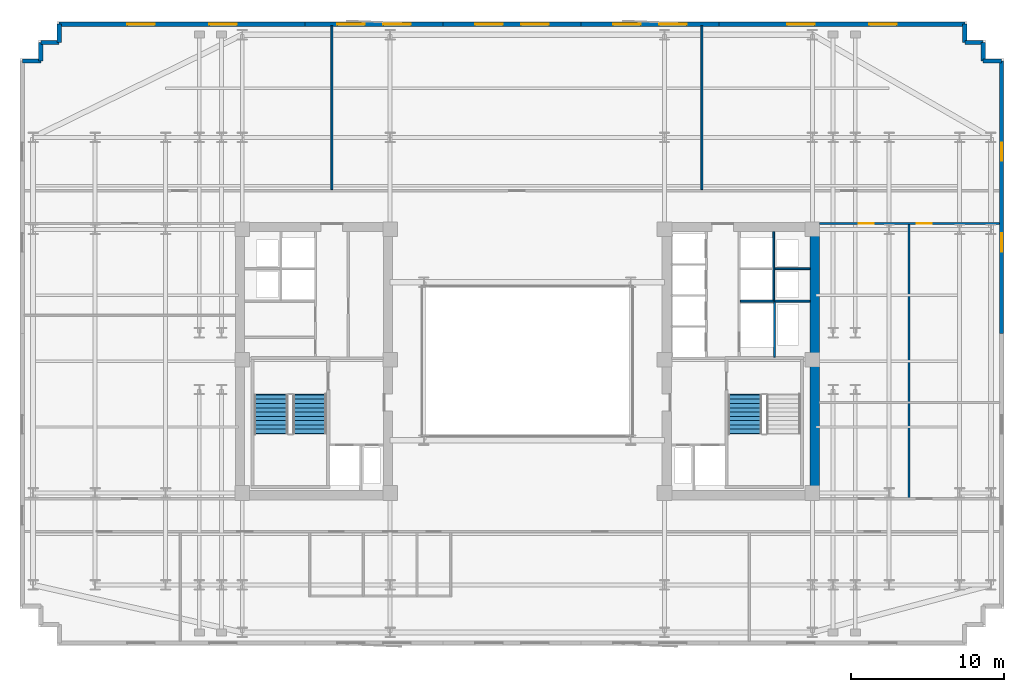
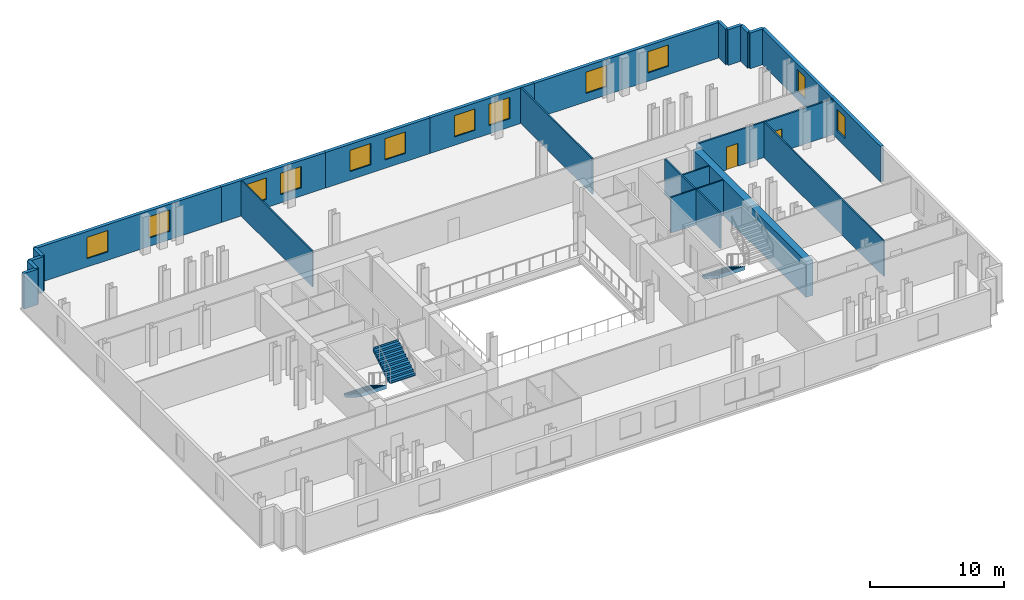
# One storey, part 7 of 10: 23 walls, 12 windows, 3 stair flights, 2 doors, 14 openings, 2 elements without a shape of their own.
"""IFC4 building model written with IfcOpenShell, lengths in metres."""

import ifcopenshell
import ifcopenshell.guid

model = None  # the IFC model being written
_history = None  # IfcOwnerHistory: only IFC2X3 demands one
_inside = {}  # id of a spatial element -> (the spatial element, [elements in it])
_under = {}  # id of a project, library or spatial element -> (it, [spatial elements below it])
_declared = {}  # id of a project -> (the project, [libraries it declares])
_typed = {}  # id of a type object -> (the type object, [elements of that type])
_made_of = {}  # id of a material, layer set ... -> (it, [elements and type objects made of it])


def new_model(schema):
    """Start an empty IFC model of exactly this schema.

    Asked for "IFC4X3", IfcOpenShell would pick the latest addendum, in which some entities
    have other attributes; the version numbers below select the first issue.
    IFC2X3 requires an IfcOwnerHistory on every rooted entity: one is made here for all.
    """
    global model, _history
    if schema == "IFC4X3":
        model = ifcopenshell.file(schema_version=(4, 3, 0, 0))
    else:
        model = ifcopenshell.file(schema=schema)
    _inside.clear()
    _under.clear()
    _declared.clear()
    _typed.clear()
    _made_of.clear()
    _history = None
    if model.schema == "IFC2X3":
        org = make("IfcOrganization", Name="unknown")
        user = make(
            "IfcPersonAndOrganization",
            ThePerson=make("IfcPerson", FamilyName="unknown"),
            TheOrganization=org,
        )
        app = make(
            "IfcApplication",
            ApplicationDeveloper=org,
            Version="unknown",
            ApplicationFullName="unknown",
            ApplicationIdentifier="unknown",
        )
        _history = make(
            "IfcOwnerHistory",
            OwningUser=user,
            OwningApplication=app,
            ChangeAction="ADDED",
            CreationDate=0,
        )
    return model


def make(cls, **values):
    """One entity of the class cls with the attributes given. An attribute that is None is left unset."""
    return model.create_entity(
        cls, **{name: value for name, value in values.items() if value is not None}
    )


def rooted(cls, **values):
    """An entity with a GlobalId (a new one), such as an element, a storey or a relation."""
    return make(cls, GlobalId=ifcopenshell.guid.new(), OwnerHistory=_history, **values)


def si_unit(unit_type, name, prefix=None):
    """IfcSIUnit, for example si_unit("LENGTHUNIT", "METRE", prefix="MILLI")."""
    return make("IfcSIUnit", UnitType=unit_type, Prefix=prefix, Name=name)


def assignment(units):
    """IfcUnitAssignment: the units of a project."""
    return None if units is None else make("IfcUnitAssignment", Units=units)


def point(xyz):
    """IfcCartesianPoint."""
    return None if xyz is None else make("IfcCartesianPoint", Coordinates=xyz)


def direction(xyz):
    """IfcDirection."""
    return None if xyz is None else make("IfcDirection", DirectionRatios=xyz)


def frame(location, z_axis=None, x_axis=None):
    """IfcAxis2Placement3D, a coordinate frame: its origin and axes. An axis left out is left unset."""
    return make(
        "IfcAxis2Placement3D",
        Location=point(location),
        Axis=direction(z_axis),
        RefDirection=direction(x_axis),
    )


def frame_2d(location, x_axis=None):
    """IfcAxis2Placement2D, a coordinate frame in the plane: its origin and x axis."""
    return make(
        "IfcAxis2Placement2D", Location=point(location), RefDirection=direction(x_axis)
    )


def origin():
    """The frame at (0, 0, 0) with its axes left unset."""
    return frame((0.0, 0.0, 0.0))


def place(relative_to, where):
    """IfcLocalPlacement: puts the frame where relative to a parent placement (None: the world)."""
    return make(
        "IfcLocalPlacement", PlacementRelTo=relative_to, RelativePlacement=where
    )


def context(
    kind, dimensions, precision=None, world=None, true_north=None, identifier=None
):
    """IfcGeometricRepresentationContext, for example the 3D "Model" context."""
    return make(
        "IfcGeometricRepresentationContext",
        ContextIdentifier=identifier,
        ContextType=kind,
        CoordinateSpaceDimension=dimensions,
        Precision=precision,
        WorldCoordinateSystem=world,
        TrueNorth=true_north,
    )


def subcontext(parent, identifier, kind, view, scale=None):
    """IfcGeometricRepresentationSubContext, for example "Body" below "Model"."""
    return make(
        "IfcGeometricRepresentationSubContext",
        ContextIdentifier=identifier,
        ContextType=kind,
        ParentContext=parent,
        TargetScale=scale,
        TargetView=view,
    )


def project(units=None, contexts=None):
    """IfcProject with its units and contexts."""
    return rooted(
        "IfcProject",
        Name="project",
        RepresentationContexts=contexts,
        UnitsInContext=assignment(units),
    )


def spatial(cls, under=None, at=None, **own):
    """A site, building, storey or space (cls), placed at a placement, below another one or the project."""
    s = rooted(cls, ObjectPlacement=at, **own)
    if under is not None:
        _under.setdefault(under.id(), (under, []))[1].append(s)
    return s


def polyline(points):
    """IfcPolyline through the points."""
    return make("IfcPolyline", Points=[point(p) for p in points])


def profile(cls, at=None, kind="AREA", **sizes):
    """A parametric profile (cls). Its sizes go by their IFC names, for example OverallWidth=200.0."""
    return make(cls, ProfileType=kind, Position=at, **sizes)


def rectangle(**sizes):
    """IfcRectangleProfileDef."""
    return profile("IfcRectangleProfileDef", **sizes)


def outline(outer, holes=None, kind="AREA"):
    """IfcArbitraryClosedProfileDef: a profile drawn as a closed curve; with holes, ...WithVoids."""
    if holes is None:
        return make("IfcArbitraryClosedProfileDef", ProfileType=kind, OuterCurve=outer)
    return make(
        "IfcArbitraryProfileDefWithVoids",
        ProfileType=kind,
        OuterCurve=outer,
        InnerCurves=holes,
    )


def extrude(swept, where, along, depth):
    """IfcExtrudedAreaSolid: the profile swept, set in the frame where, extruded along a direction by depth."""
    return make(
        "IfcExtrudedAreaSolid",
        SweptArea=swept,
        Position=where,
        ExtrudedDirection=direction(along),
        Depth=depth,
    )


def shape(context_of_items, identifier, shape_type, items):
    """IfcShapeRepresentation: the items that make up one representation, for example the "Body"."""
    return make(
        "IfcShapeRepresentation",
        ContextOfItems=context_of_items,
        RepresentationIdentifier=identifier,
        RepresentationType=shape_type,
        Items=items,
    )


def material(Name=None, Category=None):
    """IfcMaterial."""
    return make("IfcMaterial", Name=Name, Category=Category)


def layer(
    of_material, thickness, ventilated=None, Name=None, Category=None, Priority=None
):
    """IfcMaterialLayer: one layer of a wall or slab, of a material (None: an air gap)."""
    return make(
        "IfcMaterialLayer",
        Material=of_material,
        LayerThickness=thickness,
        IsVentilated=ventilated,
        Name=Name,
        Category=Category,
        Priority=Priority,
    )


def layer_set(layers, Name=None):
    """IfcMaterialLayerSet."""
    return make("IfcMaterialLayerSet", MaterialLayers=layers, LayerSetName=Name)


def made_of(thing, what):
    """Note that an element or type object is made of a material, layer set ...; save() writes the relation."""
    if what is not None:
        _made_of.setdefault(what.id(), (what, []))[1].append(thing)
    return thing


def type_object(cls, material=None, **own):
    """A type object (cls), such as IfcWallType, which elements share."""
    return made_of(rooted(cls, **own), material)


def element(
    cls,
    number,
    at=None,
    inside=None,
    cuts=None,
    type_object=None,
    material=None,
    context=None,
    identifier="Body",
    shape_type=None,
    held_by="IfcProductDefinitionShape",
    body=None,
    shapes=None,
    **own,
):
    """One element of the class cls, such as IfcWall. Its Tag is "e" and its number.

    at: its placement. inside: the storey or other place that contains it. cuts: it is an
    opening in that element (IfcRelVoidsElement). A single representation is given by context,
    identifier, shape_type and body (its items); several are given by shapes. held_by: the class
    of the entity that holds the representations. save() writes the other relations.
    """
    e = rooted(cls, Tag="e%d" % number, ObjectPlacement=at, **own)
    if body is not None:
        shapes = [shape(context, identifier, shape_type, body)]
    if shapes is not None:
        e.Representation = make(held_by, Representations=shapes)
    if inside is not None:
        _inside.setdefault(inside.id(), (inside, []))[1].append(e)
    if cuts is not None:
        rooted(
            "IfcRelVoidsElement", RelatingBuildingElement=cuts, RelatedOpeningElement=e
        )
    if type_object is not None:
        _typed.setdefault(type_object.id(), (type_object, []))[1].append(e)
    return made_of(e, material)


def fill(opening, filler):
    """IfcRelFillsElement: the door or window that sits in an opening."""
    return rooted(
        "IfcRelFillsElement",
        RelatingOpeningElement=opening,
        RelatedBuildingElement=filler,
    )


def aggregate(whole, parts):
    """IfcRelAggregates: a whole, such as a stair, and the parts it consists of."""
    return rooted("IfcRelAggregates", RelatingObject=whole, RelatedObjects=parts)


def save(model, path):
    """Write the relations noted so far, then the file.

    IfcRelAggregates (storeys below a building ...), IfcRelContainedInSpatialStructure (elements
    in a storey), IfcRelDefinesByType, IfcRelAssociatesMaterial and IfcRelDeclares: one each for
    every whole, place, type object, material and project.
    """
    for whole, parts in _under.values():
        aggregate(whole, parts)
    for where, things in _inside.values():
        rooted(
            "IfcRelContainedInSpatialStructure",
            RelatedElements=things,
            RelatingStructure=where,
        )
    for kind, things in _typed.values():
        rooted("IfcRelDefinesByType", RelatedObjects=things, RelatingType=kind)
    for what, things in _made_of.values():
        rooted("IfcRelAssociatesMaterial", RelatedObjects=things, RelatingMaterial=what)
    for by, libraries in _declared.values():
        rooted("IfcRelDeclares", RelatingContext=by, RelatedDefinitions=libraries)
    model.write(path)


model = new_model("IFC4")

# Units and contexts
model_context = context("Model", 3, precision=1e-05, world=origin(), true_north=direction((0.0, 1.0)))
body_context = subcontext(model_context, "Body", "Model", "MODEL_VIEW")
ifc_project = project(units=[si_unit("LENGTHUNIT", "METRE"), si_unit("AREAUNIT", "SQUARE_METRE"), si_unit("VOLUMEUNIT", "CUBIC_METRE"), si_unit("PLANEANGLEUNIT", "RADIAN"), si_unit("MASSUNIT", "GRAM", prefix="KILO")], contexts=[model_context])

# Site, building, storey
site_placement = place(None, origin())
site = spatial("IfcSite", under=ifc_project, at=site_placement, CompositionType="ELEMENT")
building_placement = place(site_placement, origin())
building = spatial("IfcBuilding", under=site, at=building_placement, Name="Velakula Bourse", CompositionType="ELEMENT")
storey_placement = place(building_placement, frame((0.0, 0.0, 127.75)))
storey = spatial("IfcBuildingStorey", under=building, at=storey_placement, Name="L34", CompositionType="ELEMENT", Elevation=127.75)

# Wall
ifc_material_1 = material(Name="Concrete M70 (fck 70 MPa)", Category="concrete")
ifc_layer_1 = layer(ifc_material_1, 0.60009765625, Name="Concrete M70 (fck 70 MPa)", Category="concrete")
ifc_layer_set_1 = layer_set([ifc_layer_1], Name="Concrete M70 (fck 70 MPa)")
wall_type_1 = type_object("IfcWallType", Name="WL-CORE-600", PredefinedType="SHEAR", material=ifc_layer_set_1)
wall_1_placement = place(storey_placement, frame((18.75, -8.449951171875, 0.0), z_axis=(0.0, 0.0, 1.0), x_axis=(0.0, 1.0, 0.0)))
element("IfcWall", 1, at=wall_1_placement, inside=storey, type_object=wall_type_1, Name="L34 Core E Shear Wall E", PredefinedType="SHEAR", context=body_context, shape_type="SweptSolid", body=[
    extrude(rectangle(XDim=16.89990234375, YDim=0.60009765625, at=frame_2d((8.449951171875, 0.0))), origin(), (0.0, 0.0, 1.0), 3.27001953125),
])

# Wall, openings, windows
ifc_material_2 = material(Name="Red kilned clay facing brick masonry", Category="masonry")
ifc_layer_2 = layer(ifc_material_2, 0.280029296875, Name="Red kilned clay facing brick masonry", Category="masonry")
ifc_layer_set_2 = layer_set([ifc_layer_2], Name="Red kilned clay facing brick masonry")
wall_type_2 = type_object("IfcWallType", Name="WL-EXT-BRK-280", PredefinedType="STANDARD", material=ifc_layer_set_2)
wall_2_placement = place(storey_placement, frame((-30.5400390625, 21.989990234375, 0.0), z_axis=(0.0, 0.0, 1.0), x_axis=(1.0, 0.0, 0.0)))
wall_2 = element("IfcWall", 2, at=wall_2_placement, inside=storey, type_object=wall_type_2, Name="L34 N Brick Spandrel Wall B1", PredefinedType="STANDARD", context=body_context, shape_type="SweptSolid", body=[
    extrude(rectangle(XDim=16.0400390625, YDim=0.280029296875, at=frame_2d((8.02001953125, 0.0))), origin(), (0.0, 0.0, 1.0), 3.25),
])
opening_1_placement = place(wall_2_placement, frame((4.44677734375, 0.0, 0.760009765625)))
opening_1 = element("IfcOpeningElement", 3, at=opening_1_placement, cuts=wall_2, Name="Opening W-01", PredefinedType="OPENING", context=body_context, shape_type="SweptSolid", body=[
    extrude(rectangle(XDim=1.800048828125, YDim=1.949951171875, at=frame_2d((0.89990234375, 0.97509765625))), frame((0.0, 0.14990234375, 0.0), z_axis=(0.0, -1.0, 0.0), x_axis=(1.0, 0.0, 0.0)), (0.0, 0.0, 1.0), 0.300048828125),
])
opening_2_placement = place(wall_2_placement, frame((9.793212890625, 0.0, 0.760009765625)))
opening_2 = element("IfcOpeningElement", 4, at=opening_2_placement, cuts=wall_2, Name="Opening W-01", PredefinedType="OPENING", context=body_context, shape_type="SweptSolid", body=[
    extrude(rectangle(XDim=1.800048828125, YDim=1.949951171875, at=frame_2d((0.89990234375, 0.97509765625))), frame((0.0, 0.14990234375, 0.0), z_axis=(0.0, -1.0, 0.0), x_axis=(1.0, 0.0, 0.0)), (0.0, 0.0, 1.0), 0.300048828125),
])
ifc_material_3 = material(Name="Double-glazed solar-control Low-E glass", Category="glass")
window_type_1 = type_object("IfcWindowType", Name="WIN-TWR-1800x2100", PartitioningType="SINGLE_PANEL", PredefinedType="WINDOW", material=ifc_material_3)
window_1_placement = place(opening_1_placement, origin())
window_1 = element("IfcWindow", 5, at=window_1_placement, inside=storey, type_object=window_type_1, Name="L34 Deep-Set Recessed Window 1", OverallHeight=1.949951171875, OverallWidth=1.800048828125, PartitioningType="SINGLE_PANEL", PredefinedType="WINDOW", context=body_context, shape_type="SweptSolid", body=[
    extrude(rectangle(XDim=1.800048828125, YDim=1.949951171875, at=frame_2d((0.89990234375, 0.97509765625))), frame((0.0, 0.030029296875, 0.0), z_axis=(0.0, -1.0, 0.0), x_axis=(1.0, 0.0, 0.0)), (0.0, 0.0, 1.0), 0.06005859375),
])
fill(opening_1, window_1)
window_2_placement = place(opening_2_placement, origin())
window_2 = element("IfcWindow", 6, at=window_2_placement, inside=storey, type_object=window_type_1, Name="L34 Deep-Set Recessed Window 2", OverallHeight=1.949951171875, OverallWidth=1.800048828125, PartitioningType="SINGLE_PANEL", PredefinedType="WINDOW", context=body_context, shape_type="SweptSolid", body=[
    extrude(rectangle(XDim=1.800048828125, YDim=1.949951171875, at=frame_2d((0.89990234375, 0.97509765625))), frame((0.0, 0.030029296875, 0.0), z_axis=(0.0, -1.0, 0.0), x_axis=(1.0, 0.0, 0.0)), (0.0, 0.0, 1.0), 0.06005859375),
])
fill(opening_2, window_2)

wall_3_placement = place(storey_placement, frame((-14.5, 21.989990234375, 0.0), z_axis=(0.0, 0.0, 1.0), x_axis=(1.0, 0.0, 0.0)))
wall_3 = element("IfcWall", 7, at=wall_3_placement, inside=storey, type_object=wall_type_2, Name="L34 N Brick Spandrel Wall B2", PredefinedType="STANDARD", context=body_context, shape_type="SweptSolid", body=[
    extrude(rectangle(XDim=9.0, YDim=0.280029296875, at=frame_2d((4.5, 0.0))), origin(), (0.0, 0.0, 1.0), 3.25),
])
opening_3_placement = place(wall_3_placement, frame((2.10009765625, 0.0, 0.760009765625)))
opening_3 = element("IfcOpeningElement", 8, at=opening_3_placement, cuts=wall_3, Name="Opening W-01", PredefinedType="OPENING", context=body_context, shape_type="SweptSolid", body=[
    extrude(rectangle(XDim=1.800048828125, YDim=1.949951171875, at=frame_2d((0.89990234375, 0.97509765625))), frame((0.0, 0.14990234375, 0.0), z_axis=(0.0, -1.0, 0.0), x_axis=(1.0, 0.0, 0.0)), (0.0, 0.0, 1.0), 0.300048828125),
])
opening_4_placement = place(wall_3_placement, frame((5.10009765625, 0.0, 0.760009765625)))
opening_4 = element("IfcOpeningElement", 9, at=opening_4_placement, cuts=wall_3, Name="Opening W-01", PredefinedType="OPENING", context=body_context, shape_type="SweptSolid", body=[
    extrude(rectangle(XDim=1.800048828125, YDim=1.949951171875, at=frame_2d((0.89990234375, 0.97509765625))), frame((0.0, 0.14990234375, 0.0), z_axis=(0.0, -1.0, 0.0), x_axis=(1.0, 0.0, 0.0)), (0.0, 0.0, 1.0), 0.300048828125),
])
window_3_placement = place(opening_3_placement, origin())
window_3 = element("IfcWindow", 10, at=window_3_placement, inside=storey, type_object=window_type_1, Name="L34 Deep-Set Recessed Window 1", OverallHeight=1.949951171875, OverallWidth=1.800048828125, PartitioningType="SINGLE_PANEL", PredefinedType="WINDOW", context=body_context, shape_type="SweptSolid", body=[
    extrude(rectangle(XDim=1.800048828125, YDim=1.949951171875, at=frame_2d((0.89990234375, 0.97509765625))), frame((0.0, 0.030029296875, 0.0), z_axis=(0.0, -1.0, 0.0), x_axis=(1.0, 0.0, 0.0)), (0.0, 0.0, 1.0), 0.06005859375),
])
fill(opening_3, window_3)
window_4_placement = place(opening_4_placement, origin())
window_4 = element("IfcWindow", 11, at=window_4_placement, inside=storey, type_object=window_type_1, Name="L34 Deep-Set Recessed Window 2", OverallHeight=1.949951171875, OverallWidth=1.800048828125, PartitioningType="SINGLE_PANEL", PredefinedType="WINDOW", context=body_context, shape_type="SweptSolid", body=[
    extrude(rectangle(XDim=1.800048828125, YDim=1.949951171875, at=frame_2d((0.89990234375, 0.97509765625))), frame((0.0, 0.030029296875, 0.0), z_axis=(0.0, -1.0, 0.0), x_axis=(1.0, 0.0, 0.0)), (0.0, 0.0, 1.0), 0.06005859375),
])
fill(opening_4, window_4)

wall_4_placement = place(storey_placement, frame((-5.5, 21.989990234375, 0.0), z_axis=(0.0, 0.0, 1.0), x_axis=(1.0, 0.0, 0.0)))
wall_4 = element("IfcWall", 12, at=wall_4_placement, inside=storey, type_object=wall_type_2, Name="L34 N Brick Spandrel Wall B3", PredefinedType="STANDARD", context=body_context, shape_type="SweptSolid", body=[
    extrude(rectangle(XDim=9.0, YDim=0.280029296875, at=frame_2d((4.5, 0.0))), origin(), (0.0, 0.0, 1.0), 3.25),
])
opening_5_placement = place(wall_4_placement, frame((2.10009765625, 0.0, 0.760009765625)))
opening_5 = element("IfcOpeningElement", 13, at=opening_5_placement, cuts=wall_4, Name="Opening W-01", PredefinedType="OPENING", context=body_context, shape_type="SweptSolid", body=[
    extrude(rectangle(XDim=1.800048828125, YDim=1.949951171875, at=frame_2d((0.89990234375, 0.97509765625))), frame((0.0, 0.14990234375, 0.0), z_axis=(0.0, -1.0, 0.0), x_axis=(1.0, 0.0, 0.0)), (0.0, 0.0, 1.0), 0.300048828125),
])
opening_6_placement = place(wall_4_placement, frame((5.10009765625, 0.0, 0.760009765625)))
opening_6 = element("IfcOpeningElement", 14, at=opening_6_placement, cuts=wall_4, Name="Opening W-01", PredefinedType="OPENING", context=body_context, shape_type="SweptSolid", body=[
    extrude(rectangle(XDim=1.800048828125, YDim=1.949951171875, at=frame_2d((0.89990234375, 0.97509765625))), frame((0.0, 0.14990234375, 0.0), z_axis=(0.0, -1.0, 0.0), x_axis=(1.0, 0.0, 0.0)), (0.0, 0.0, 1.0), 0.300048828125),
])
window_5_placement = place(opening_5_placement, origin())
window_5 = element("IfcWindow", 15, at=window_5_placement, inside=storey, type_object=window_type_1, Name="L34 Deep-Set Recessed Window 1", OverallHeight=1.949951171875, OverallWidth=1.800048828125, PartitioningType="SINGLE_PANEL", PredefinedType="WINDOW", context=body_context, shape_type="SweptSolid", body=[
    extrude(rectangle(XDim=1.800048828125, YDim=1.949951171875, at=frame_2d((0.89990234375, 0.97509765625))), frame((0.0, 0.030029296875, 0.0), z_axis=(0.0, -1.0, 0.0), x_axis=(1.0, 0.0, 0.0)), (0.0, 0.0, 1.0), 0.06005859375),
])
fill(opening_5, window_5)
window_6_placement = place(opening_6_placement, origin())
window_6 = element("IfcWindow", 16, at=window_6_placement, inside=storey, type_object=window_type_1, Name="L34 Deep-Set Recessed Window 2", OverallHeight=1.949951171875, OverallWidth=1.800048828125, PartitioningType="SINGLE_PANEL", PredefinedType="WINDOW", context=body_context, shape_type="SweptSolid", body=[
    extrude(rectangle(XDim=1.800048828125, YDim=1.949951171875, at=frame_2d((0.89990234375, 0.97509765625))), frame((0.0, 0.030029296875, 0.0), z_axis=(0.0, -1.0, 0.0), x_axis=(1.0, 0.0, 0.0)), (0.0, 0.0, 1.0), 0.06005859375),
])
fill(opening_6, window_6)

wall_5_placement = place(storey_placement, frame((3.5, 21.989990234375, 0.0), z_axis=(0.0, 0.0, 1.0), x_axis=(1.0, 0.0, 0.0)))
wall_5 = element("IfcWall", 17, at=wall_5_placement, inside=storey, type_object=wall_type_2, Name="L34 N Brick Spandrel Wall B4", PredefinedType="STANDARD", context=body_context, shape_type="SweptSolid", body=[
    extrude(rectangle(XDim=9.0, YDim=0.280029296875, at=frame_2d((4.5, 0.0))), origin(), (0.0, 0.0, 1.0), 3.25),
])
opening_7_placement = place(wall_5_placement, frame((2.10009765625, 0.0, 0.760009765625)))
opening_7 = element("IfcOpeningElement", 18, at=opening_7_placement, cuts=wall_5, Name="Opening W-01", PredefinedType="OPENING", context=body_context, shape_type="SweptSolid", body=[
    extrude(rectangle(XDim=1.800048828125, YDim=1.949951171875, at=frame_2d((0.89990234375, 0.97509765625))), frame((0.0, 0.14990234375, 0.0), z_axis=(0.0, -1.0, 0.0), x_axis=(1.0, 0.0, 0.0)), (0.0, 0.0, 1.0), 0.300048828125),
])
opening_8_placement = place(wall_5_placement, frame((5.10009765625, 0.0, 0.760009765625)))
opening_8 = element("IfcOpeningElement", 19, at=opening_8_placement, cuts=wall_5, Name="Opening W-01", PredefinedType="OPENING", context=body_context, shape_type="SweptSolid", body=[
    extrude(rectangle(XDim=1.800048828125, YDim=1.949951171875, at=frame_2d((0.89990234375, 0.97509765625))), frame((0.0, 0.14990234375, 0.0), z_axis=(0.0, -1.0, 0.0), x_axis=(1.0, 0.0, 0.0)), (0.0, 0.0, 1.0), 0.300048828125),
])
window_7_placement = place(opening_7_placement, origin())
window_7 = element("IfcWindow", 20, at=window_7_placement, inside=storey, type_object=window_type_1, Name="L34 Deep-Set Recessed Window 1", OverallHeight=1.949951171875, OverallWidth=1.800048828125, PartitioningType="SINGLE_PANEL", PredefinedType="WINDOW", context=body_context, shape_type="SweptSolid", body=[
    extrude(rectangle(XDim=1.800048828125, YDim=1.949951171875, at=frame_2d((0.89990234375, 0.97509765625))), frame((0.0, 0.030029296875, 0.0), z_axis=(0.0, -1.0, 0.0), x_axis=(1.0, 0.0, 0.0)), (0.0, 0.0, 1.0), 0.06005859375),
])
fill(opening_7, window_7)
window_8_placement = place(opening_8_placement, origin())
window_8 = element("IfcWindow", 21, at=window_8_placement, inside=storey, type_object=window_type_1, Name="L34 Deep-Set Recessed Window 2", OverallHeight=1.949951171875, OverallWidth=1.800048828125, PartitioningType="SINGLE_PANEL", PredefinedType="WINDOW", context=body_context, shape_type="SweptSolid", body=[
    extrude(rectangle(XDim=1.800048828125, YDim=1.949951171875, at=frame_2d((0.89990234375, 0.97509765625))), frame((0.0, 0.030029296875, 0.0), z_axis=(0.0, -1.0, 0.0), x_axis=(1.0, 0.0, 0.0)), (0.0, 0.0, 1.0), 0.06005859375),
])
fill(opening_8, window_8)

wall_6_placement = place(storey_placement, frame((12.5, 21.989990234375, 0.0), z_axis=(0.0, 0.0, 1.0), x_axis=(1.0, 0.0, 0.0)))
wall_6 = element("IfcWall", 22, at=wall_6_placement, inside=storey, type_object=wall_type_2, Name="L34 N Brick Spandrel Wall B5", PredefinedType="STANDARD", context=body_context, shape_type="SweptSolid", body=[
    extrude(rectangle(XDim=16.0400390625, YDim=0.280029296875, at=frame_2d((8.02001953125, 0.0))), origin(), (0.0, 0.0, 1.0), 3.25),
])
opening_9_placement = place(wall_6_placement, frame((4.44677734375, 0.0, 0.760009765625)))
opening_9 = element("IfcOpeningElement", 23, at=opening_9_placement, cuts=wall_6, Name="Opening W-01", PredefinedType="OPENING", context=body_context, shape_type="SweptSolid", body=[
    extrude(rectangle(XDim=1.800048828125, YDim=1.949951171875, at=frame_2d((0.89990234375, 0.97509765625))), frame((0.0, 0.14990234375, 0.0), z_axis=(0.0, -1.0, 0.0), x_axis=(1.0, 0.0, 0.0)), (0.0, 0.0, 1.0), 0.300048828125),
])
opening_10_placement = place(wall_6_placement, frame((9.793212890625, 0.0, 0.760009765625)))
opening_10 = element("IfcOpeningElement", 24, at=opening_10_placement, cuts=wall_6, Name="Opening W-01", PredefinedType="OPENING", context=body_context, shape_type="SweptSolid", body=[
    extrude(rectangle(XDim=1.800048828125, YDim=1.949951171875, at=frame_2d((0.89990234375, 0.97509765625))), frame((0.0, 0.14990234375, 0.0), z_axis=(0.0, -1.0, 0.0), x_axis=(1.0, 0.0, 0.0)), (0.0, 0.0, 1.0), 0.300048828125),
])
window_9_placement = place(opening_9_placement, origin())
window_9 = element("IfcWindow", 25, at=window_9_placement, inside=storey, type_object=window_type_1, Name="L34 Deep-Set Recessed Window 1", OverallHeight=1.949951171875, OverallWidth=1.800048828125, PartitioningType="SINGLE_PANEL", PredefinedType="WINDOW", context=body_context, shape_type="SweptSolid", body=[
    extrude(rectangle(XDim=1.800048828125, YDim=1.949951171875, at=frame_2d((0.89990234375, 0.97509765625))), frame((0.0, 0.030029296875, 0.0), z_axis=(0.0, -1.0, 0.0), x_axis=(1.0, 0.0, 0.0)), (0.0, 0.0, 1.0), 0.06005859375),
])
fill(opening_9, window_9)
window_10_placement = place(opening_10_placement, origin())
window_10 = element("IfcWindow", 26, at=window_10_placement, inside=storey, type_object=window_type_1, Name="L34 Deep-Set Recessed Window 2", OverallHeight=1.949951171875, OverallWidth=1.800048828125, PartitioningType="SINGLE_PANEL", PredefinedType="WINDOW", context=body_context, shape_type="SweptSolid", body=[
    extrude(rectangle(XDim=1.800048828125, YDim=1.949951171875, at=frame_2d((0.89990234375, 0.97509765625))), frame((0.0, 0.030029296875, 0.0), z_axis=(0.0, -1.0, 0.0), x_axis=(1.0, 0.0, 0.0)), (0.0, 0.0, 1.0), 0.06005859375),
])
fill(opening_10, window_10)

wall_7_placement = place(storey_placement, frame((30.93994140625, 19.590087890625, 0.0), z_axis=(0.0, 0.0, 1.0), x_axis=(0.0, -1.0, 0.0)))
wall_7 = element("IfcWall", 27, at=wall_7_placement, inside=storey, type_object=wall_type_2, Name="L34 E Brick End Wall W2", PredefinedType="STANDARD", context=body_context, shape_type="SweptSolid", body=[
    extrude(rectangle(XDim=17.7900390625, YDim=0.280029296875, at=frame_2d((8.89501953125, 0.0))), origin(), (0.0, 0.0, 1.0), 3.25),
])
opening_11_placement = place(wall_7_placement, frame((5.330078125, 0.0, 0.760009765625)))
opening_11 = element("IfcOpeningElement", 28, at=opening_11_placement, cuts=wall_7, Name="Opening W-04", PredefinedType="OPENING", context=body_context, shape_type="SweptSolid", body=[
    extrude(rectangle(XDim=1.199951171875, YDim=1.949951171875, at=frame_2d((0.60009765625, 0.97509765625))), frame((0.0, 0.14990234375, 0.0), z_axis=(0.0, -1.0, 0.0), x_axis=(1.0, 0.0, 0.0)), (0.0, 0.0, 1.0), 0.300048828125),
])
opening_12_placement = place(wall_7_placement, frame((11.260009765625, 0.0, 0.760009765625)))
opening_12 = element("IfcOpeningElement", 29, at=opening_12_placement, cuts=wall_7, Name="Opening W-04", PredefinedType="OPENING", context=body_context, shape_type="SweptSolid", body=[
    extrude(rectangle(XDim=1.199951171875, YDim=1.949951171875, at=frame_2d((0.60009765625, 0.97509765625))), frame((0.0, 0.14990234375, 0.0), z_axis=(0.0, -1.0, 0.0), x_axis=(1.0, 0.0, 0.0)), (0.0, 0.0, 1.0), 0.300048828125),
])
window_type_2 = type_object("IfcWindowType", Name="WIN-TWR-1200x2100", PartitioningType="SINGLE_PANEL", PredefinedType="WINDOW", material=ifc_material_3)
window_11_placement = place(opening_11_placement, origin())
window_11 = element("IfcWindow", 30, at=window_11_placement, inside=storey, type_object=window_type_2, Name="L34 Deep-Set Recessed Window 1", OverallHeight=1.949951171875, OverallWidth=1.199951171875, PartitioningType="SINGLE_PANEL", PredefinedType="WINDOW", context=body_context, shape_type="SweptSolid", body=[
    extrude(rectangle(XDim=1.199951171875, YDim=1.949951171875, at=frame_2d((0.60009765625, 0.97509765625))), frame((0.0, 0.030029296875, 0.0), z_axis=(0.0, -1.0, 0.0), x_axis=(1.0, 0.0, 0.0)), (0.0, 0.0, 1.0), 0.06005859375),
])
fill(opening_11, window_11)
window_12_placement = place(opening_12_placement, origin())
window_12 = element("IfcWindow", 31, at=window_12_placement, inside=storey, type_object=window_type_2, Name="L34 Deep-Set Recessed Window 2", OverallHeight=1.949951171875, OverallWidth=1.199951171875, PartitioningType="SINGLE_PANEL", PredefinedType="WINDOW", context=body_context, shape_type="SweptSolid", body=[
    extrude(rectangle(XDim=1.199951171875, YDim=1.949951171875, at=frame_2d((0.60009765625, 0.97509765625))), frame((0.0, 0.030029296875, 0.0), z_axis=(0.0, -1.0, 0.0), x_axis=(1.0, 0.0, 0.0)), (0.0, 0.0, 1.0), 0.06005859375),
])
fill(opening_12, window_12)

# Walls
for number, where, z_axis, x_axis, name in (
    (32, (30.93994140625, 19.590087890625, 0.0), (0.0, 0.0, 1.0), (-1.0, 0.0, 0.0), "L34 Serrated Corner Brick Wall NE-1"),
    (33, (29.739990234375, 19.590087890625, 0.0), (0.0, 0.0, 1.0), (0.0, 1.0, 0.0), "L34 Serrated Corner Brick Wall NE-2"),
    (34, (29.739990234375, 20.7900390625, 0.0), (0.0, 0.0, 1.0), (-1.0, 0.0, 0.0), "L34 Serrated Corner Brick Wall NE-3"),
    (35, (28.5400390625, 20.7900390625, 0.0), (0.0, 0.0, 1.0), (0.0, 1.0, 0.0), "L34 Serrated Corner Brick Wall NE-4"),
    (36, (-30.5400390625, 21.989990234375, 0.0), (0.0, 0.0, 1.0), (0.0, -1.0, 0.0), "L34 Serrated Corner Brick Wall NW-1"),
    (37, (-30.5400390625, 20.7900390625, 0.0), (0.0, 0.0, 1.0), (-1.0, 0.0, 0.0), "L34 Serrated Corner Brick Wall NW-2"),
    (38, (-31.739990234375, 20.7900390625, 0.0), (0.0, 0.0, 1.0), (0.0, -1.0, 0.0), "L34 Serrated Corner Brick Wall NW-3"),
    (39, (-31.739990234375, 19.590087890625, 0.0), (0.0, 0.0, 1.0), (-1.0, 0.0, 0.0), "L34 Serrated Corner Brick Wall NW-4"),
):
    element("IfcWall", number, at=place(storey_placement, frame(where, z_axis=z_axis, x_axis=x_axis)), inside=storey, type_object=wall_type_2, Name=name, PredefinedType="STANDARD", context=body_context, shape_type="SweptSolid", body=[
        extrude(rectangle(XDim=1.199951171875, YDim=0.280029296875, at=frame_2d((0.60009765625, 0.0))), origin(), (0.0, 0.0, 1.0), 3.25),
    ])
ifc_material_4 = material(Name="Fire-rated double-layer gypsum drywall partition", Category="gypsum")
ifc_layer_3 = layer(ifc_material_4, 0.1201171875, Name="Fire-rated double-layer gypsum drywall partition", Category="gypsum")
ifc_layer_set_3 = layer_set([ifc_layer_3], Name="Fire-rated double-layer gypsum drywall partition")
wall_type_3 = type_object("IfcWallType", Name="WL-PART-120", PredefinedType="STANDARD", material=ifc_layer_set_3)
wall_8_placement = place(storey_placement, frame((13.89990234375, 3.919921875, 0.0), z_axis=(0.0, 0.0, 1.0), x_axis=(1.0, 0.0, 0.0)))
element("IfcWall", 40, at=wall_8_placement, inside=storey, type_object=wall_type_3, Name="L34 Interior Partition WL-CRE-L34-HI-S", PredefinedType="STANDARD", context=body_context, shape_type="SweptSolid", body=[
    extrude(rectangle(XDim=4.550048828125, YDim=0.1201171875, at=frame_2d((2.27490234375, 0.0))), origin(), (0.0, 0.0, 1.0), 3.25),
])
wall_9_placement = place(storey_placement, frame((16.14990234375, 6.030029296875, 0.0), z_axis=(0.0, 0.0, 1.0), x_axis=(1.0, 0.0, 0.0)))
element("IfcWall", 41, at=wall_9_placement, inside=storey, type_object=wall_type_3, Name="L34 Interior Partition WL-CRE-L34-RIS-MID", PredefinedType="STANDARD", context=body_context, shape_type="SweptSolid", body=[
    extrude(rectangle(XDim=2.300048828125, YDim=0.1201171875, at=frame_2d((1.14990234375, 0.0))), origin(), (0.0, 0.0, 1.0), 3.25),
])
wall_10_placement = place(storey_placement, frame((16.074951171875, 3.97998046875, 0.0), z_axis=(0.0, 0.0, 1.0), x_axis=(0.0, 1.0, 0.0)))
element("IfcWall", 42, at=wall_10_placement, inside=storey, type_object=wall_type_3, Name="L34 Interior Partition WL-CRE-L34-RIS-F", PredefinedType="STANDARD", context=body_context, shape_type="SweptSolid", body=[
    extrude(rectangle(XDim=4.469970703125, YDim=0.1201171875, at=frame_2d((2.23486328125, 0.0))), origin(), (0.0, 0.0, 1.0), 3.25),
])
wall_11_placement = place(storey_placement, frame((16.125, 0.27001953125, 0.0), z_axis=(0.0, 0.0, 1.0), x_axis=(0.0, 1.0, 0.0)))
element("IfcWall", 43, at=wall_11_placement, inside=storey, type_object=wall_type_3, Name="L34 Interior Partition WL-CRE-L34-SVL-E", PredefinedType="STANDARD", context=body_context, shape_type="SweptSolid", body=[
    extrude(rectangle(XDim=3.590087890625, YDim=0.1201171875, at=frame_2d((1.794921875, 0.0))), origin(), (0.0, 0.0, 1.0), 3.25),
])
for number, where, z_axis, x_axis, name in (
    (44, (-12.7509765625, 11.18994140625, 0.0), (0.0, 0.0, 1.0), (0.0, 1.0, 0.0), "L34 Interior Partition WL-INT-L34-N-D1"),
    (45, (11.385986328125, 11.18994140625, 0.0), (0.0, 0.0, 1.0), (0.0, 1.0, 0.0), "L34 Interior Partition WL-INT-L34-N-D2"),
):
    element("IfcWall", number, at=place(storey_placement, frame(where, z_axis=z_axis, x_axis=x_axis)), inside=storey, type_object=wall_type_3, Name=name, PredefinedType="STANDARD", context=body_context, shape_type="SweptSolid", body=[
        extrude(rectangle(XDim=10.68017578125, YDim=0.1201171875, at=frame_2d((5.340087890625, 0.0))), origin(), (0.0, 0.0, 1.0), 3.25),
    ])
wall_12_placement = place(storey_placement, frame((24.905029296875, -8.97998046875, 0.0), z_axis=(0.0, 0.0, 1.0), x_axis=(0.0, 1.0, 0.0)))
element("IfcWall", 46, at=wall_12_placement, inside=storey, type_object=wall_type_3, Name="L34 Interior Partition WL-INT-L34-E-V1", PredefinedType="STANDARD", context=body_context, shape_type="SweptSolid", body=[
    extrude(rectangle(XDim=17.9599609375, YDim=0.1201171875, at=frame_2d((8.97998046875, 0.0))), origin(), (0.0, 0.0, 1.0), 3.25),
])

# Wall, openings, doors
ifc_layer_4 = layer(ifc_material_4, 0.139892578125, Name="Fire-rated double-layer gypsum drywall partition", Category="gypsum")
ifc_layer_set_4 = layer_set([ifc_layer_4], Name="Fire-rated double-layer gypsum drywall partition")
wall_type_4 = type_object("IfcWallType", Name="WL-PART-140", PredefinedType="STANDARD", material=ifc_layer_set_4)
wall_13_placement = place(storey_placement, frame((19.050048828125, 8.97998046875, 0.0), z_axis=(0.0, 0.0, 1.0), x_axis=(1.0, 0.0, 0.0)))
wall_13 = element("IfcWall", 47, at=wall_13_placement, inside=storey, type_object=wall_type_4, Name="L34 Interior Partition WL-INT-L34-E-NC", PredefinedType="STANDARD", context=body_context, shape_type="SweptSolid", body=[
    extrude(rectangle(XDim=11.77001953125, YDim=0.139892578125, at=frame_2d((5.885009765625, 0.0))), origin(), (0.0, 0.0, 1.0), 3.25),
])
opening_13_placement = place(wall_13_placement, frame((2.5576171875, 0.0, 0.0)))
opening_13 = element("IfcOpeningElement", 48, at=opening_13_placement, cuts=wall_13, Name="Opening D-OF1", PredefinedType="OPENING", context=body_context, shape_type="SweptSolid", body=[
    extrude(rectangle(XDim=1.0, YDim=2.080078125, at=frame_2d((0.5, 1.0400390625))), frame((0.0, 0.079833984375, 0.0), z_axis=(0.0, -1.0, 0.0), x_axis=(1.0, 0.0, 0.0)), (0.0, 0.0, 1.0), 0.159912109375),
])
opening_14_placement = place(wall_13_placement, frame((6.346923828125, 0.0, 0.0)))
opening_14 = element("IfcOpeningElement", 49, at=opening_14_placement, cuts=wall_13, Name="Opening D-OF1", PredefinedType="OPENING", context=body_context, shape_type="SweptSolid", body=[
    extrude(rectangle(XDim=1.0, YDim=2.080078125, at=frame_2d((0.5, 1.0400390625))), frame((0.0, 0.079833984375, 0.0), z_axis=(0.0, -1.0, 0.0), x_axis=(1.0, 0.0, 0.0)), (0.0, 0.0, 1.0), 0.159912109375),
])
ifc_material_5 = material(Name="Fire-rated hardwood flush architectural door", Category="wood")
door_type = type_object("IfcDoorType", Name="DR-OFF-1000", OperationType="NOTDEFINED", PredefinedType="DOOR", material=ifc_material_5)
door_1_placement = place(opening_13_placement, origin())
door_1 = element("IfcDoor", 50, at=door_1_placement, inside=storey, type_object=door_type, Name="L34 Legal Counsel Office Door", OperationType="SINGLE_SWING_LEFT", OverallHeight=2.080078125, OverallWidth=1.0, PredefinedType="DOOR", context=body_context, shape_type="SweptSolid", body=[
    extrude(rectangle(XDim=1.0, YDim=2.080078125, at=frame_2d((0.5, 1.0400390625))), frame((0.0, 0.02490234375, 0.0), z_axis=(0.0, -1.0, 0.0), x_axis=(1.0, 0.0, 0.0)), (0.0, 0.0, 1.0), 0.050048828125),
])
fill(opening_13, door_1)
door_2_placement = place(opening_14_placement, origin())
door_2 = element("IfcDoor", 51, at=door_2_placement, inside=storey, type_object=door_type, Name="L34 Disciplinary Hearing Room Door", OperationType="SINGLE_SWING_RIGHT", OverallHeight=2.080078125, OverallWidth=1.0, PredefinedType="DOOR", context=body_context, shape_type="SweptSolid", body=[
    extrude(rectangle(XDim=1.0, YDim=2.080078125, at=frame_2d((0.5, 1.0400390625))), frame((0.0, 0.02490234375, 0.0), z_axis=(0.0, -1.0, 0.0), x_axis=(1.0, 0.0, 0.0)), (0.0, 0.0, 1.0), 0.050048828125),
])
fill(opening_14, door_2)

# Stair, stair flights
ifc_material_6 = material(Name="Concrete M45 (fck 45 MPa)", Category="concrete")
stair_type = type_object("IfcStairType", Name="STR-DOG-390", PredefinedType="HALF_TURN_STAIR", material=ifc_material_6)
stair_1_placement = place(storey_placement, origin())
stair_1 = element("IfcStair", 52, at=stair_1_placement, inside=storey, type_object=stair_type, Name="L34 West Core Exit Stair ST-W1", PredefinedType="HALF_TURN_STAIR")
ifc_layer_5 = layer(ifc_material_6, 0.195068359375, Name="Concrete M45 (fck 45 MPa)", Category="concrete")
ifc_layer_set_5 = layer_set([ifc_layer_5], Name="Concrete M45 (fck 45 MPa)")
stair_flight_type = type_object("IfcStairFlightType", Name="FLT-DOG-390", PredefinedType="STRAIGHT", material=ifc_layer_set_5)
stair_flight_1_placement = place(storey_placement, frame((-16.720947265625, -2.199951171875, 0.0), z_axis=(0.0, 0.0, 1.0), x_axis=(0.0, -1.0, 0.0)))
stair_flight_1 = element("IfcStairFlight", 53, at=stair_flight_1_placement, type_object=stair_flight_type, Name="ST-W1 flight 1", NumberOfRisers=10, NumberOfTreads=9, PredefinedType="STRAIGHT", RiserHeight=0.1725, TreadLength=0.28, context=body_context, shape_type="SweptSolid", body=[
    extrude(outline(polyline([(-0.044921875, -0.0400390625), (-0.044921875, -0.036865234375), (-0.044921875, -0.033935546875), (-0.044921875, -0.03076171875), (-0.044921875, -0.027587890625), (-0.044921875, -0.024658203125), (-0.044921875, -0.021484375), (-0.044921875, -0.0185546875), (-0.044921875, -0.015380859375), (-0.044921875, -0.01220703125), (-0.044921875, -0.00927734375), (-0.044921875, -0.006103515625), (-0.044921875, -0.003173828125), (-0.044921875, 0.0), (0.0, 0.0), (0.0, 0.172607421875), (0.280029296875, 0.172607421875), (0.280029296875, 0.344970703125), (0.56005859375, 0.344970703125), (0.56005859375, 0.517578125), (0.840087890625, 0.517578125), (0.840087890625, 0.68994140625), (1.1201171875, 0.68994140625), (1.1201171875, 0.862548828125), (1.39990234375, 0.862548828125), (1.39990234375, 1.034912109375), (1.679931640625, 1.034912109375), (1.679931640625, 1.20751953125), (1.9599609375, 1.20751953125), (1.9599609375, 1.3798828125), (2.239990234375, 1.3798828125), (2.239990234375, 1.552490234375), (2.52001953125, 1.552490234375), (2.52001953125, 1.72509765625), (2.56494140625, 1.72509765625), (2.56494140625, 1.7001953125), (2.56494140625, 1.67529296875), (2.56494140625, 1.650390625), (2.56494140625, 1.62548828125), (2.56494140625, 1.6005859375), (2.56494140625, 1.57568359375), (2.56494140625, 1.55078125), (2.56494140625, 1.52587890625), (2.56494140625, 1.5009765625), (2.56494140625, 1.47607421875), (2.56494140625, 1.451171875), (2.56494140625, 1.42626953125), (2.56494140625, 1.4013671875), (2.56494140625, 1.37646484375), (0.285888671875, -0.0400390625), (-0.044921875, -0.0400390625)])), frame((0.0, 1.09912109375, 0.0), z_axis=(0.0, -1.0, 0.0), x_axis=(1.0, 0.0, 0.0)), (0.0, 0.0, 1.0), 2.197998046875),
])
stair_flight_2_placement = place(storey_placement, frame((-14.198974609375, -4.719970703125, 1.72509765625), z_axis=(0.0, 0.0, 1.0), x_axis=(0.0, 1.0, 0.0)))
stair_flight_2 = element("IfcStairFlight", 54, at=stair_flight_2_placement, type_object=stair_flight_type, Name="ST-W1 flight 2", NumberOfRisers=10, NumberOfTreads=9, PredefinedType="STRAIGHT", RiserHeight=0.1725, TreadLength=0.28, context=body_context, shape_type="SweptSolid", body=[
    extrude(outline(polyline([(-0.044921875, -0.0400390625), (-0.044921875, -0.036865234375), (-0.044921875, -0.033935546875), (-0.044921875, -0.03076171875), (-0.044921875, -0.027587890625), (-0.044921875, -0.024658203125), (-0.044921875, -0.021484375), (-0.044921875, -0.0185546875), (-0.044921875, -0.015380859375), (-0.044921875, -0.01220703125), (-0.044921875, -0.00927734375), (-0.044921875, -0.006103515625), (-0.044921875, -0.003173828125), (-0.044921875, 0.0), (0.0, 0.0), (0.0, 0.172607421875), (0.280029296875, 0.172607421875), (0.280029296875, 0.344970703125), (0.56005859375, 0.344970703125), (0.56005859375, 0.517578125), (0.840087890625, 0.517578125), (0.840087890625, 0.68994140625), (1.1201171875, 0.68994140625), (1.1201171875, 0.862548828125), (1.39990234375, 0.862548828125), (1.39990234375, 1.034912109375), (1.679931640625, 1.034912109375), (1.679931640625, 1.20751953125), (1.9599609375, 1.20751953125), (1.9599609375, 1.3798828125), (2.239990234375, 1.3798828125), (2.239990234375, 1.552490234375), (2.52001953125, 1.552490234375), (2.52001953125, 1.72509765625), (2.56494140625, 1.72509765625), (2.56494140625, 1.7001953125), (2.56494140625, 1.67529296875), (2.56494140625, 1.650390625), (2.56494140625, 1.62548828125), (2.56494140625, 1.6005859375), (2.56494140625, 1.57568359375), (2.56494140625, 1.55078125), (2.56494140625, 1.52587890625), (2.56494140625, 1.5009765625), (2.56494140625, 1.47607421875), (2.56494140625, 1.451171875), (2.56494140625, 1.42626953125), (2.56494140625, 1.4013671875), (2.56494140625, 1.37646484375), (0.285888671875, -0.0400390625), (-0.044921875, -0.0400390625)])), frame((0.0, 1.09912109375, 0.0), z_axis=(0.0, -1.0, 0.0), x_axis=(1.0, 0.0, 0.0)), (0.0, 0.0, 1.0), 2.197998046875),
])
aggregate(stair_1, [stair_flight_1, stair_flight_2])

# Stair, stair flight
stair_2_placement = place(storey_placement, origin())
stair_2 = element("IfcStair", 55, at=stair_2_placement, inside=storey, type_object=stair_type, Name="L34 East Core Exit Stair ST-E1", PredefinedType="HALF_TURN_STAIR")
stair_flight_3_placement = place(storey_placement, frame((14.198974609375, -2.199951171875, 0.0), z_axis=(0.0, 0.0, 1.0), x_axis=(0.0, -1.0, 0.0)))
stair_flight_3 = element("IfcStairFlight", 56, at=stair_flight_3_placement, type_object=stair_flight_type, Name="ST-E1 flight 1", NumberOfRisers=10, NumberOfTreads=9, PredefinedType="STRAIGHT", RiserHeight=0.1725, TreadLength=0.28, context=body_context, shape_type="SweptSolid", body=[
    extrude(outline(polyline([(-0.044921875, -0.0400390625), (-0.044921875, -0.036865234375), (-0.044921875, -0.033935546875), (-0.044921875, -0.03076171875), (-0.044921875, -0.027587890625), (-0.044921875, -0.024658203125), (-0.044921875, -0.021484375), (-0.044921875, -0.0185546875), (-0.044921875, -0.015380859375), (-0.044921875, -0.01220703125), (-0.044921875, -0.00927734375), (-0.044921875, -0.006103515625), (-0.044921875, -0.003173828125), (-0.044921875, 0.0), (0.0, 0.0), (0.0, 0.172607421875), (0.280029296875, 0.172607421875), (0.280029296875, 0.344970703125), (0.56005859375, 0.344970703125), (0.56005859375, 0.517578125), (0.840087890625, 0.517578125), (0.840087890625, 0.68994140625), (1.1201171875, 0.68994140625), (1.1201171875, 0.862548828125), (1.39990234375, 0.862548828125), (1.39990234375, 1.034912109375), (1.679931640625, 1.034912109375), (1.679931640625, 1.20751953125), (1.9599609375, 1.20751953125), (1.9599609375, 1.3798828125), (2.239990234375, 1.3798828125), (2.239990234375, 1.552490234375), (2.52001953125, 1.552490234375), (2.52001953125, 1.72509765625), (2.56494140625, 1.72509765625), (2.56494140625, 1.7001953125), (2.56494140625, 1.67529296875), (2.56494140625, 1.650390625), (2.56494140625, 1.62548828125), (2.56494140625, 1.6005859375), (2.56494140625, 1.57568359375), (2.56494140625, 1.55078125), (2.56494140625, 1.52587890625), (2.56494140625, 1.5009765625), (2.56494140625, 1.47607421875), (2.56494140625, 1.451171875), (2.56494140625, 1.42626953125), (2.56494140625, 1.4013671875), (2.56494140625, 1.37646484375), (0.285888671875, -0.0400390625), (-0.044921875, -0.0400390625)])), frame((0.0, 1.09912109375, 0.0), z_axis=(0.0, -1.0, 0.0), x_axis=(1.0, 0.0, 0.0)), (0.0, 0.0, 1.0), 2.197998046875),
])
aggregate(stair_2, [stair_flight_3])

save(model, "model.ifc")
